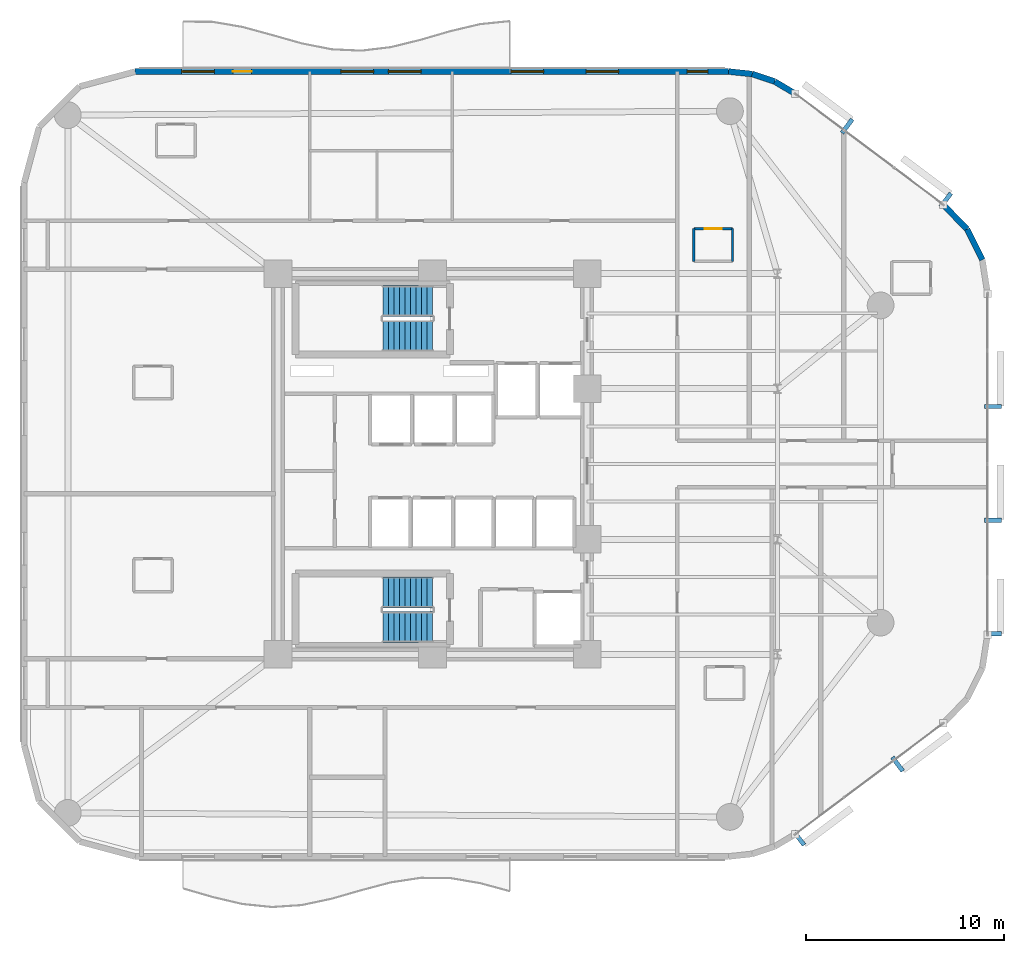
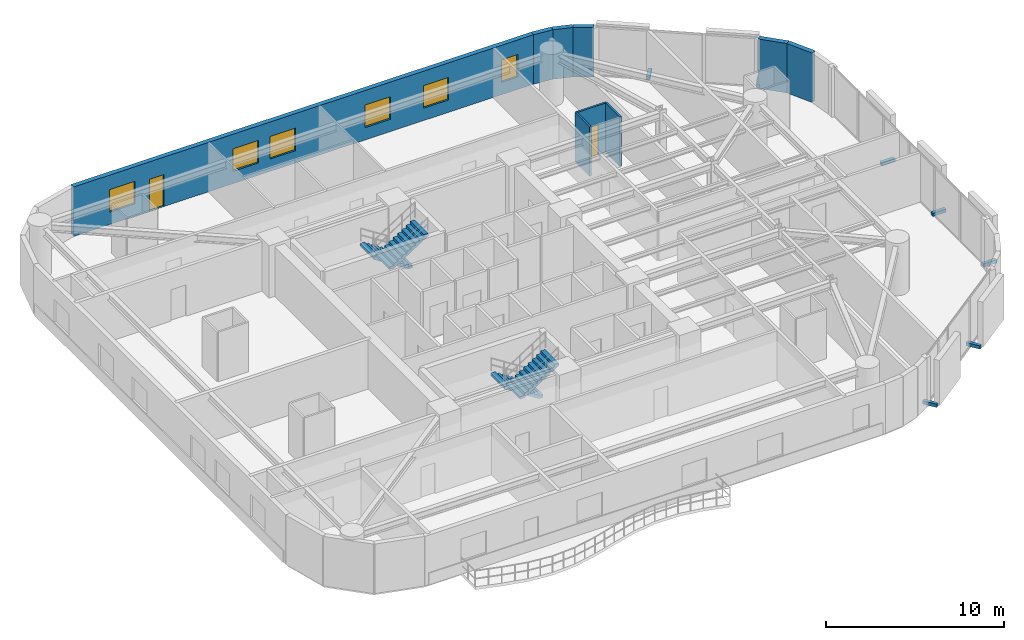
# One storey, part 13 of 16: 9 walls, 7 discrete accessories, 6 windows, 4 stair flights, 2 doors, 8 openings, 2 elements without a shape of their own.
"""IFC4 building model written with IfcOpenShell, lengths in metres."""

from ifc_helpers import new_model, si_unit, direction, frame, frame_2d, origin, origin_2d, place, context, subcontext, project, spatial, polyline, rectangle, outline, extrude, material, layer, layer_set, type_object, element, fill, aggregate, save


model = new_model("IFC4")

# Units and contexts
model_context = context("Model", 3, precision=1e-05, world=origin(), true_north=direction((0.0, 1.0)))
body_context = subcontext(model_context, "Body", "Model", "MODEL_VIEW")
ifc_project = project(units=[si_unit("LENGTHUNIT", "METRE"), si_unit("AREAUNIT", "SQUARE_METRE"), si_unit("VOLUMEUNIT", "CUBIC_METRE"), si_unit("PLANEANGLEUNIT", "RADIAN"), si_unit("MASSUNIT", "GRAM", prefix="KILO")], contexts=[model_context])

# Site, building, storey
site_placement = place(None, origin())
site = spatial("IfcSite", under=ifc_project, at=site_placement, CompositionType="ELEMENT")
building_placement = place(site_placement, origin())
building = spatial("IfcBuilding", under=site, at=building_placement, Name="An Khanh Terracotta Commons", CompositionType="ELEMENT")
storey_placement = place(building_placement, frame((0.0, 0.0, 89.89990234375)))
storey = spatial("IfcBuildingStorey", under=building, at=storey_placement, Name="L23", CompositionType="ELEMENT", Elevation=89.89990234375)

# Walls
ifc_material_1 = material(Name="Precast concrete C40/50", Category="concrete")
ifc_layer_1 = layer(ifc_material_1, 0.300048828125, Name="Precast concrete C40/50")
ifc_layer_set_1 = layer_set([ifc_layer_1], Name="Precast concrete C40/50")
wall_type_1 = type_object("IfcWallType", Name="WALL-EXT-300", PredefinedType="SOLIDWALL", material=ifc_layer_set_1)
for number, where, z_axis, x_axis, name in (
    (1, (57.135009765625, 34.303955078125, 0.0), (0.0, 0.0, 1.0), (-0.4472135955, 0.894427191, 0.0), "L23 Insulated Terracotta Exterior Wall 14"),
    (2, (56.364013671875, 35.845947265625, 0.0), (0.0, 0.0, 1.0), (-0.6983450845, 0.715761233201, 0.0), "L23 Insulated Terracotta Exterior Wall 15"),
):
    element("IfcWall", number, at=place(storey_placement, frame(where, z_axis=z_axis, x_axis=x_axis)), inside=storey, type_object=wall_type_1, Name=name, PredefinedType="SOLIDWALL", context=body_context, shape_type="SweptSolid", body=[
        extrude(rectangle(XDim=1.72412109375, YDim=0.300048828125, at=frame_2d((0.862060546875, 0.0))), origin(), (0.0, 0.0, 1.0), 3.400146484375),
    ])
wall_1_placement = place(storey_placement, frame((47.693115234375, 42.679931640625, 0.0), z_axis=(0.0, 0.0, 1.0), x_axis=(-0.859320591642, 0.511437308749, 0.0)))
element("IfcWall", 3, at=wall_1_placement, inside=storey, type_object=wall_type_1, Name="L23 Insulated Terracotta Exterior Wall 17", PredefinedType="SOLIDWALL", context=body_context, shape_type="SweptSolid", body=[
    extrude(rectangle(XDim=1.19873046875, YDim=0.300048828125, at=frame_2d((0.599365234375, 0.0))), origin(), (0.0, 0.0, 1.0), 3.400146484375),
])
wall_2_placement = place(storey_placement, frame((46.6630859375, 43.29296875, 0.0), z_axis=(0.0, 0.0, 1.0), x_axis=(-0.948744332129, 0.316044604847, 0.0)))
element("IfcWall", 4, at=wall_2_placement, inside=storey, type_object=wall_type_1, Name="L23 Insulated Terracotta Exterior Wall 18", PredefinedType="SOLIDWALL", context=body_context, shape_type="SweptSolid", body=[
    extrude(rectangle(XDim=1.19970703125, YDim=0.300048828125, at=frame_2d((0.599853515625, 0.0))), origin(), (0.0, 0.0, 1.0), 3.400146484375),
])
wall_3_placement = place(storey_placement, frame((45.52490234375, 43.672119140625, 0.0), z_axis=(0.0, 0.0, 1.0), x_axis=(-0.994289103787, 0.106720092254, 0.0)))
element("IfcWall", 5, at=wall_3_placement, inside=storey, type_object=wall_type_1, Name="L23 Insulated Terracotta Exterior Wall 19", PredefinedType="SOLIDWALL", context=body_context, shape_type="SweptSolid", body=[
    extrude(rectangle(XDim=1.19873046875, YDim=0.300048828125, at=frame_2d((0.599365234375, 0.0))), origin(), (0.0, 0.0, 1.0), 3.400146484375),
])

# Wall, openings, door, windows
wall_4_placement = place(storey_placement, frame((44.3330078125, 43.800048828125, 0.0), z_axis=(0.0, 0.0, 1.0), x_axis=(-1.0, 0.0, 0.0)))
wall_4 = element("IfcWall", 6, at=wall_4_placement, inside=storey, type_object=wall_type_1, Name="L23 Insulated Terracotta Exterior Wall 20", PredefinedType="SOLIDWALL", context=body_context, shape_type="SweptSolid", body=[
    extrude(rectangle(XDim=29.93310546875, YDim=0.300048828125, at=frame_2d((14.966552734375, 0.0))), origin(), (0.0, 0.0, 1.0), 3.400146484375),
])
opening_1_placement = place(wall_4_placement, frame((24.05810546875, 0.0, 0.0)))
opening_1 = element("IfcOpeningElement", 7, at=opening_1_placement, cuts=wall_4, Name="Opening D-BAL", PredefinedType="OPENING", context=body_context, shape_type="SweptSolid", body=[
    extrude(rectangle(XDim=0.949951171875, YDim=2.199951171875, at=frame_2d((0.47509765625, 1.10009765625))), frame((0.0, 0.159912109375, 0.0), z_axis=(0.0, -1.0, 0.0), x_axis=(1.0, 0.0, 0.0)), (0.0, 0.0, 1.0), 0.320068359375),
])
opening_2_placement = place(wall_4_placement, frame((5.541015625, 0.0, 0.85009765625)))
opening_2 = element("IfcOpeningElement", 8, at=opening_2_placement, cuts=wall_4, Name="Opening W-02", PredefinedType="OPENING", context=body_context, shape_type="SweptSolid", body=[
    extrude(rectangle(XDim=1.64990234375, YDim=1.550048828125, at=frame_2d((0.824951171875, 0.77490234375))), frame((0.0, 0.159912109375, 0.0), z_axis=(0.0, -1.0, 0.0), x_axis=(1.0, 0.0, 0.0)), (0.0, 0.0, 1.0), 0.320068359375),
])
opening_3_placement = place(wall_4_placement, frame((9.324951171875, 0.0, 0.85009765625)))
opening_3 = element("IfcOpeningElement", 9, at=opening_3_placement, cuts=wall_4, Name="Opening W-02", PredefinedType="OPENING", context=body_context, shape_type="SweptSolid", body=[
    extrude(rectangle(XDim=1.64990234375, YDim=1.550048828125, at=frame_2d((0.824951171875, 0.77490234375))), frame((0.0, 0.159912109375, 0.0), z_axis=(0.0, -1.0, 0.0), x_axis=(1.0, 0.0, 0.0)), (0.0, 0.0, 1.0), 0.320068359375),
])
opening_4_placement = place(wall_4_placement, frame((15.508056640625, 0.0, 0.85009765625)))
opening_4 = element("IfcOpeningElement", 10, at=opening_4_placement, cuts=wall_4, Name="Opening W-02", PredefinedType="OPENING", context=body_context, shape_type="SweptSolid", body=[
    extrude(rectangle(XDim=1.64990234375, YDim=1.550048828125, at=frame_2d((0.824951171875, 0.77490234375))), frame((0.0, 0.159912109375, 0.0), z_axis=(0.0, -1.0, 0.0), x_axis=(1.0, 0.0, 0.0)), (0.0, 0.0, 1.0), 0.320068359375),
])
opening_5_placement = place(wall_4_placement, frame((17.907958984375, 0.0, 0.85009765625)))
opening_5 = element("IfcOpeningElement", 11, at=opening_5_placement, cuts=wall_4, Name="Opening W-02", PredefinedType="OPENING", context=body_context, shape_type="SweptSolid", body=[
    extrude(rectangle(XDim=1.64990234375, YDim=1.550048828125, at=frame_2d((0.824951171875, 0.77490234375))), frame((0.0, 0.159912109375, 0.0), z_axis=(0.0, -1.0, 0.0), x_axis=(1.0, 0.0, 0.0)), (0.0, 0.0, 1.0), 0.320068359375),
])
opening_6_placement = place(wall_4_placement, frame((25.94091796875, 0.0, 0.85009765625)))
opening_6 = element("IfcOpeningElement", 12, at=opening_6_placement, cuts=wall_4, Name="Opening W-02", PredefinedType="OPENING", context=body_context, shape_type="SweptSolid", body=[
    extrude(rectangle(XDim=1.64990234375, YDim=1.550048828125, at=frame_2d((0.824951171875, 0.77490234375))), frame((0.0, 0.159912109375, 0.0), z_axis=(0.0, -1.0, 0.0), x_axis=(1.0, 0.0, 0.0)), (0.0, 0.0, 1.0), 0.320068359375),
])
opening_7_placement = place(wall_4_placement, frame((1.047119140625, 0.0, 0.85009765625)))
opening_7 = element("IfcOpeningElement", 13, at=opening_7_placement, cuts=wall_4, Name="Opening W-06", PredefinedType="OPENING", context=body_context, shape_type="SweptSolid", body=[
    extrude(rectangle(XDim=1.050048828125, YDim=1.550048828125, at=frame_2d((0.52490234375, 0.77490234375))), frame((0.0, 0.159912109375, 0.0), z_axis=(0.0, -1.0, 0.0), x_axis=(1.0, 0.0, 0.0)), (0.0, 0.0, 1.0), 0.320068359375),
])
ifc_material_2 = material(Name="Thermally Broken Aluminium and Low-E Glass", Category="aluminium")
door_type_1 = type_object("IfcDoorType", Name="DOOR-BALC-950", OperationType="NOTDEFINED", PredefinedType="DOOR", material=ifc_material_2)
door_1_placement = place(opening_1_placement, origin())
door_1 = element("IfcDoor", 14, at=door_1_placement, inside=storey, type_object=door_type_1, Name="L23 N Wave Balcony Glazed Door", OperationType="SINGLE_SWING_RIGHT", OverallHeight=2.199951171875, OverallWidth=0.949951171875, PredefinedType="DOOR", context=body_context, shape_type="SweptSolid", body=[
    extrude(rectangle(XDim=0.949951171875, YDim=2.199951171875, at=frame_2d((0.47509765625, 1.10009765625))), frame((0.0, 0.02490234375, 0.0), z_axis=(0.0, -1.0, 0.0), x_axis=(1.0, 0.0, 0.0)), (0.0, 0.0, 1.0), 0.050048828125),
])
fill(opening_1, door_1)
window_type_1 = type_object("IfcWindowType", Name="WIN-COR-1050x1550", PartitioningType="SINGLE_PANEL", PredefinedType="WINDOW", material=ifc_material_2)
window_1_placement = place(opening_7_placement, origin())
window_1 = element("IfcWindow", 15, at=window_1_placement, inside=storey, type_object=window_type_1, Name="L23 L23-NB1 Dwelling Casement Window", OverallHeight=1.550048828125, OverallWidth=1.050048828125, PartitioningType="SINGLE_PANEL", PredefinedType="WINDOW", context=body_context, shape_type="SweptSolid", body=[
    extrude(rectangle(XDim=1.050048828125, YDim=1.550048828125, at=frame_2d((0.52490234375, 0.77490234375))), frame((0.0, 0.030029296875, 0.0), z_axis=(0.0, -1.0, 0.0), x_axis=(1.0, 0.0, 0.0)), (0.0, 0.0, 1.0), 0.06005859375),
])
fill(opening_7, window_1)
window_type_2 = type_object("IfcWindowType", Name="WIN-Z2-1650x1550", PartitioningType="DOUBLE_PANEL_VERTICAL", PredefinedType="WINDOW", material=ifc_material_2)
window_2_placement = place(opening_2_placement, origin())
window_2 = element("IfcWindow", 16, at=window_2_placement, inside=storey, type_object=window_type_2, Name="L23 Operable Casement Window 20.1", OverallHeight=1.550048828125, OverallWidth=1.64990234375, PartitioningType="DOUBLE_PANEL_VERTICAL", PredefinedType="WINDOW", context=body_context, shape_type="SweptSolid", body=[
    extrude(rectangle(XDim=1.64990234375, YDim=1.550048828125, at=frame_2d((0.824951171875, 0.77490234375))), frame((0.0, 0.030029296875, 0.0), z_axis=(0.0, -1.0, 0.0), x_axis=(1.0, 0.0, 0.0)), (0.0, 0.0, 1.0), 0.06005859375),
])
fill(opening_2, window_2)
window_3_placement = place(opening_3_placement, origin())
window_3 = element("IfcWindow", 17, at=window_3_placement, inside=storey, type_object=window_type_2, Name="L23 Operable Casement Window 20.2", OverallHeight=1.550048828125, OverallWidth=1.64990234375, PartitioningType="DOUBLE_PANEL_VERTICAL", PredefinedType="WINDOW", context=body_context, shape_type="SweptSolid", body=[
    extrude(rectangle(XDim=1.64990234375, YDim=1.550048828125, at=frame_2d((0.824951171875, 0.77490234375))), frame((0.0, 0.030029296875, 0.0), z_axis=(0.0, -1.0, 0.0), x_axis=(1.0, 0.0, 0.0)), (0.0, 0.0, 1.0), 0.06005859375),
])
fill(opening_3, window_3)
window_4_placement = place(opening_4_placement, origin())
window_4 = element("IfcWindow", 18, at=window_4_placement, inside=storey, type_object=window_type_2, Name="L23 Operable Casement Window 20.3", OverallHeight=1.550048828125, OverallWidth=1.64990234375, PartitioningType="DOUBLE_PANEL_VERTICAL", PredefinedType="WINDOW", context=body_context, shape_type="SweptSolid", body=[
    extrude(rectangle(XDim=1.64990234375, YDim=1.550048828125, at=frame_2d((0.824951171875, 0.77490234375))), frame((0.0, 0.030029296875, 0.0), z_axis=(0.0, -1.0, 0.0), x_axis=(1.0, 0.0, 0.0)), (0.0, 0.0, 1.0), 0.06005859375),
])
fill(opening_4, window_4)
window_5_placement = place(opening_5_placement, origin())
window_5 = element("IfcWindow", 19, at=window_5_placement, inside=storey, type_object=window_type_2, Name="L23 Operable Casement Window 20.4", OverallHeight=1.550048828125, OverallWidth=1.64990234375, PartitioningType="DOUBLE_PANEL_VERTICAL", PredefinedType="WINDOW", context=body_context, shape_type="SweptSolid", body=[
    extrude(rectangle(XDim=1.64990234375, YDim=1.550048828125, at=frame_2d((0.824951171875, 0.77490234375))), frame((0.0, 0.030029296875, 0.0), z_axis=(0.0, -1.0, 0.0), x_axis=(1.0, 0.0, 0.0)), (0.0, 0.0, 1.0), 0.06005859375),
])
fill(opening_5, window_5)
window_6_placement = place(opening_6_placement, origin())
window_6 = element("IfcWindow", 20, at=window_6_placement, inside=storey, type_object=window_type_2, Name="L23 Operable Casement Window 20.5", OverallHeight=1.550048828125, OverallWidth=1.64990234375, PartitioningType="DOUBLE_PANEL_VERTICAL", PredefinedType="WINDOW", context=body_context, shape_type="SweptSolid", body=[
    extrude(rectangle(XDim=1.64990234375, YDim=1.550048828125, at=frame_2d((0.824951171875, 0.77490234375))), frame((0.0, 0.030029296875, 0.0), z_axis=(0.0, -1.0, 0.0), x_axis=(1.0, 0.0, 0.0)), (0.0, 0.0, 1.0), 0.06005859375),
])
fill(opening_6, window_6)

# Wall, opening, door
ifc_material_3 = material(Name="Moisture-Resistant Cement Board Partition")
ifc_layer_2 = layer(ifc_material_3, 0.1201171875, Name="Moisture-Resistant Cement Board Partition")
ifc_layer_set_2 = layer_set([ifc_layer_2], Name="Moisture-Resistant Cement Board Partition")
wall_type_2 = type_object("IfcWallType", Name="WALL-WET-120", PredefinedType="PARTITIONING", material=ifc_layer_set_2)
wall_5_placement = place(storey_placement, frame((42.5830078125, 35.875, 0.0), z_axis=(0.0, 0.0, 1.0), x_axis=(1.0, 0.0, 0.0)))
wall_5 = element("IfcWall", 21, at=wall_5_placement, inside=storey, type_object=wall_type_2, Name="L23 Interior Partition IW-L23-NB1-BN", PredefinedType="PARTITIONING", context=body_context, shape_type="SweptSolid", body=[
    extrude(rectangle(XDim=1.949951171875, YDim=0.1201171875, at=frame_2d((0.97509765625, 0.0))), origin(), (0.0, 0.0, 1.0), 3.400146484375),
])
opening_8_placement = place(wall_5_placement, frame((0.544921875, 0.0, 0.0)))
opening_8 = element("IfcOpeningElement", 22, at=opening_8_placement, cuts=wall_5, Name="Opening D-ENS", PredefinedType="OPENING", context=body_context, shape_type="SweptSolid", body=[
    extrude(rectangle(XDim=0.860107421875, YDim=2.10009765625, at=frame_2d((0.43017578125, 1.050048828125))), frame((0.0, 0.070068359375, 0.0), z_axis=(0.0, -1.0, 0.0), x_axis=(1.0, 0.0, 0.0)), (0.0, 0.0, 1.0), 0.14013671875),
])
ifc_material_4 = material(Name="Moisture-Resistant Hardwood Timber Leaf", Category="wood")
door_type_2 = type_object("IfcDoorType", Name="DOOR-BATH-860", OperationType="NOTDEFINED", PredefinedType="DOOR", material=ifc_material_4)
door_2_placement = place(opening_8_placement, origin())
door_2 = element("IfcDoor", 23, at=door_2_placement, inside=storey, type_object=door_type_2, Name="L23 Studio NB1 En-suite Door", OperationType="SINGLE_SWING_RIGHT", OverallHeight=2.10009765625, OverallWidth=0.860107421875, PredefinedType="DOOR", context=body_context, shape_type="SweptSolid", body=[
    extrude(rectangle(XDim=0.860107421875, YDim=2.10009765625, at=frame_2d((0.43017578125, 1.050048828125))), frame((0.0, 0.02490234375, 0.0), z_axis=(0.0, -1.0, 0.0), x_axis=(1.0, 0.0, 0.0)), (0.0, 0.0, 1.0), 0.050048828125),
])
fill(opening_8, door_2)

# Walls
for number, where, z_axis, x_axis, name in (
    (24, (42.5830078125, 35.875, 0.0), (0.0, 0.0, 1.0), (0.0, -1.0, 0.0), "L23 Interior Partition IW-L23-NB1-BW"),
    (25, (44.532958984375, 34.22509765625, 0.0), (0.0, 0.0, 1.0), (0.0, 1.0, 0.0), "L23 Interior Partition IW-L23-NB1-BE"),
):
    element("IfcWall", number, at=place(storey_placement, frame(where, z_axis=z_axis, x_axis=x_axis)), inside=storey, type_object=wall_type_2, Name=name, PredefinedType="PARTITIONING", context=body_context, shape_type="SweptSolid", body=[
        extrude(rectangle(XDim=1.64990234375, YDim=0.1201171875, at=frame_2d((0.824951171875, 0.0))), origin(), (0.0, 0.0, 1.0), 3.400146484375),
    ])

# Stair, stair flights
stair_type = type_object("IfcStairType", Name="STAIR-CORE-1550", PredefinedType="HALF_TURN_STAIR", material=ifc_material_1)
stair_1_placement = place(storey_placement, origin())
stair_1 = element("IfcStair", 26, at=stair_1_placement, inside=storey, type_object=stair_type, Name="L23 Core Smokeproof Exit Stair ST-01", PredefinedType="HALF_TURN_STAIR")
stair_flight_type = type_object("IfcStairFlightType", Name="FLIGHT-CORE-1550", PredefinedType="STRAIGHT", material=ifc_material_1)
stair_flight_1_placement = place(storey_placement, frame((29.409912109375, 32.22509765625, 0.0), z_axis=(0.0, 0.0, 1.0), x_axis=(-1.0, 0.0, 0.0)))
stair_flight_1 = element("IfcStairFlight", 27, at=stair_flight_1_placement, type_object=stair_flight_type, Name="ST-01 flight 1", NumberOfRisers=10, NumberOfTreads=9, PredefinedType="STRAIGHT", RiserHeight=0.18, TreadLength=0.28, context=body_context, shape_type="SweptSolid", body=[
    extrude(outline(polyline([(0.0, 0.0), (0.0, 0.179931640625), (0.280029296875, 0.179931640625), (0.280029296875, 0.360107421875), (0.56005859375, 0.360107421875), (0.56005859375, 0.5400390625), (0.840087890625, 0.5400390625), (0.840087890625, 0.719970703125), (1.1201171875, 0.719970703125), (1.1201171875, 0.89990234375), (1.39990234375, 0.89990234375), (1.39990234375, 1.080078125), (1.679931640625, 1.080078125), (1.679931640625, 1.260009765625), (1.9599609375, 1.260009765625), (1.9599609375, 1.43994140625), (2.239990234375, 1.43994140625), (2.239990234375, 1.6201171875), (2.52001953125, 1.6201171875), (2.52001953125, 1.800048828125), (2.52001953125, 1.44189453125), (0.277099609375, 0.0), (0.0, 0.0)])), frame((0.0, 0.77490234375, 0.0), z_axis=(0.0, -1.0, 0.0), x_axis=(1.0, 0.0, 0.0)), (0.0, 0.0, 1.0), 1.550048828125),
])
stair_flight_2_placement = place(storey_placement, frame((26.889892578125, 30.47509765625, 1.800048828125), z_axis=(0.0, 0.0, 1.0), x_axis=(1.0, 0.0, 0.0)))
stair_flight_2 = element("IfcStairFlight", 28, at=stair_flight_2_placement, type_object=stair_flight_type, Name="ST-01 flight 2", NumberOfRisers=10, NumberOfTreads=9, PredefinedType="STRAIGHT", RiserHeight=0.18, TreadLength=0.28, context=body_context, shape_type="SweptSolid", body=[
    extrude(outline(polyline([(0.0, 0.0), (0.0, 0.179931640625), (0.280029296875, 0.179931640625), (0.280029296875, 0.360107421875), (0.56005859375, 0.360107421875), (0.56005859375, 0.5400390625), (0.840087890625, 0.5400390625), (0.840087890625, 0.719970703125), (1.1201171875, 0.719970703125), (1.1201171875, 0.89990234375), (1.39990234375, 0.89990234375), (1.39990234375, 1.080078125), (1.679931640625, 1.080078125), (1.679931640625, 1.260009765625), (1.9599609375, 1.260009765625), (1.9599609375, 1.43994140625), (2.239990234375, 1.43994140625), (2.239990234375, 1.6201171875), (2.52001953125, 1.6201171875), (2.52001953125, 1.800048828125), (2.52001953125, 1.44189453125), (0.277099609375, 0.0), (0.0, 0.0)])), frame((0.0, 0.77490234375, 0.0), z_axis=(0.0, -1.0, 0.0), x_axis=(1.0, 0.0, 0.0)), (0.0, 0.0, 1.0), 1.550048828125),
])
aggregate(stair_1, [stair_flight_1, stair_flight_2])

stair_2_placement = place(storey_placement, origin())
stair_2 = element("IfcStair", 29, at=stair_2_placement, inside=storey, type_object=stair_type, Name="L23 Core Smokeproof Exit Stair ST-02", PredefinedType="HALF_TURN_STAIR")
stair_flight_3_placement = place(storey_placement, frame((29.409912109375, 17.52490234375, 0.0), z_axis=(0.0, 0.0, 1.0), x_axis=(-1.0, 0.0, 0.0)))
stair_flight_3 = element("IfcStairFlight", 30, at=stair_flight_3_placement, type_object=stair_flight_type, Name="ST-02 flight 1", NumberOfRisers=10, NumberOfTreads=9, PredefinedType="STRAIGHT", RiserHeight=0.18, TreadLength=0.28, context=body_context, shape_type="SweptSolid", body=[
    extrude(outline(polyline([(0.0, 0.0), (0.0, 0.179931640625), (0.280029296875, 0.179931640625), (0.280029296875, 0.360107421875), (0.56005859375, 0.360107421875), (0.56005859375, 0.5400390625), (0.840087890625, 0.5400390625), (0.840087890625, 0.719970703125), (1.1201171875, 0.719970703125), (1.1201171875, 0.89990234375), (1.39990234375, 0.89990234375), (1.39990234375, 1.080078125), (1.679931640625, 1.080078125), (1.679931640625, 1.260009765625), (1.9599609375, 1.260009765625), (1.9599609375, 1.43994140625), (2.239990234375, 1.43994140625), (2.239990234375, 1.6201171875), (2.52001953125, 1.6201171875), (2.52001953125, 1.800048828125), (2.52001953125, 1.44189453125), (0.277099609375, 0.0), (0.0, 0.0)])), frame((0.0, 0.77490234375, 0.0), z_axis=(0.0, -1.0, 0.0), x_axis=(1.0, 0.0, 0.0)), (0.0, 0.0, 1.0), 1.550048828125),
])
stair_flight_4_placement = place(storey_placement, frame((26.889892578125, 15.77490234375, 1.800048828125), z_axis=(0.0, 0.0, 1.0), x_axis=(1.0, 0.0, 0.0)))
stair_flight_4 = element("IfcStairFlight", 31, at=stair_flight_4_placement, type_object=stair_flight_type, Name="ST-02 flight 2", NumberOfRisers=10, NumberOfTreads=9, PredefinedType="STRAIGHT", RiserHeight=0.18, TreadLength=0.28, context=body_context, shape_type="SweptSolid", body=[
    extrude(outline(polyline([(0.0, 0.0), (0.0, 0.179931640625), (0.280029296875, 0.179931640625), (0.280029296875, 0.360107421875), (0.56005859375, 0.360107421875), (0.56005859375, 0.5400390625), (0.840087890625, 0.5400390625), (0.840087890625, 0.719970703125), (1.1201171875, 0.719970703125), (1.1201171875, 0.89990234375), (1.39990234375, 0.89990234375), (1.39990234375, 1.080078125), (1.679931640625, 1.080078125), (1.679931640625, 1.260009765625), (1.9599609375, 1.260009765625), (1.9599609375, 1.43994140625), (2.239990234375, 1.43994140625), (2.239990234375, 1.6201171875), (2.52001953125, 1.6201171875), (2.52001953125, 1.800048828125), (2.52001953125, 1.44189453125), (0.277099609375, 0.0), (0.0, 0.0)])), frame((0.0, 0.77490234375, 0.0), z_axis=(0.0, -1.0, 0.0), x_axis=(1.0, 0.0, 0.0)), (0.0, 0.0, 1.0), 1.550048828125),
])
aggregate(stair_2, [stair_flight_3, stair_flight_4])

# Discrete accessories
ifc_material_5 = material(Name="Stainless Steel Grade 316L", Category="steel")
discrete_accessory_type = type_object("IfcDiscreteAccessoryType", Name="Stainless Outrigger Facade Bracket", PredefinedType="BRACKET", material=ifc_material_5)
for number, where, z_axis, x_axis, name in (
    (32, (47.8798828125, 5.12890625, 0.0703125), (0.0, 0.0, 1.0), (0.800012856594, 0.599982857492, 0.0), "L23 Terracotta Screen Outrigger Bracket 1"),
    (33, (52.85791015625, 8.862060546875, 0.0703125), (0.0, 0.0, 1.0), (0.800012856594, 0.599982857492, 0.0), "L23 Terracotta Screen Outrigger Bracket 3"),
    (34, (57.6650390625, 15.43505859375, 0.0703125), (0.0, 0.0, 1.0), (0.0, 1.0, 0.0), "L23 Terracotta Screen Outrigger Bracket 1"),
    (35, (57.6650390625, 21.16796875, 0.0703125), (0.0, 0.0, 1.0), (0.0, 1.0, 0.0), "L23 Terracotta Screen Outrigger Bracket 3"),
    (36, (57.6650390625, 26.902099609375, 0.0703125), (0.0, 0.0, 1.0), (0.0, 1.0, 0.0), "L23 Terracotta Screen Outrigger Bracket 5"),
    (37, (55.291015625, 37.31298828125, 0.0703125), (0.0, 0.0, 1.0), (-0.800012856594, 0.599982857492, 0.0), "L23 Terracotta Screen Outrigger Bracket 1"),
    (38, (50.31298828125, 41.0458984375, 0.0703125), (0.0, 0.0, 1.0), (-0.800012856594, 0.599982857492, 0.0), "L23 Terracotta Screen Outrigger Bracket 3"),
):
    element("IfcDiscreteAccessory", number, at=place(storey_placement, frame(where, z_axis=z_axis, x_axis=x_axis)), inside=storey, type_object=discrete_accessory_type, Name=name, PredefinedType="BRACKET", context=body_context, shape_type="SweptSolid", body=[
        extrude(rectangle(XDim=0.219970703125, YDim=0.8701171875, at=origin_2d()), origin(), (0.0, 0.0, 1.0), 0.219970703125),
    ])

save(model, "model.ifc")
